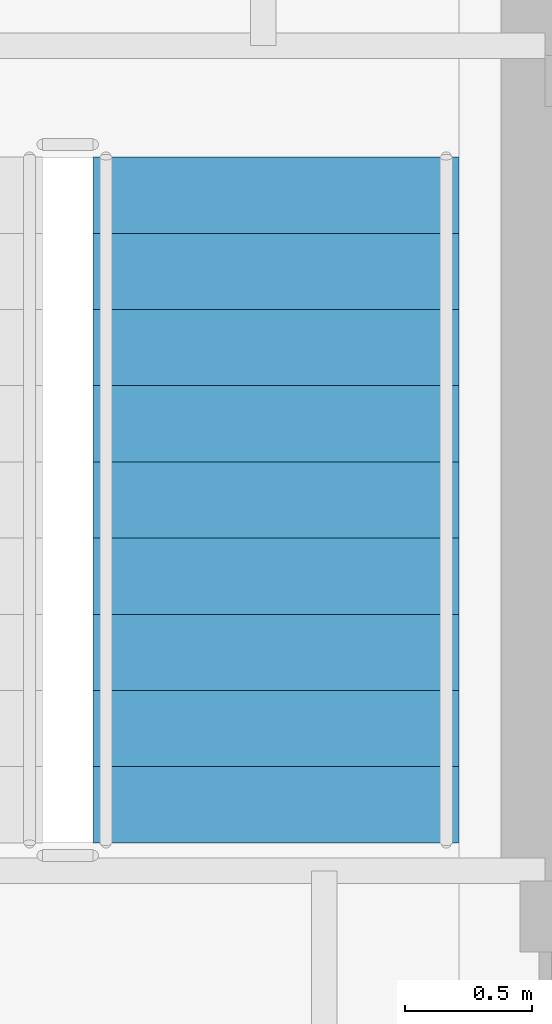
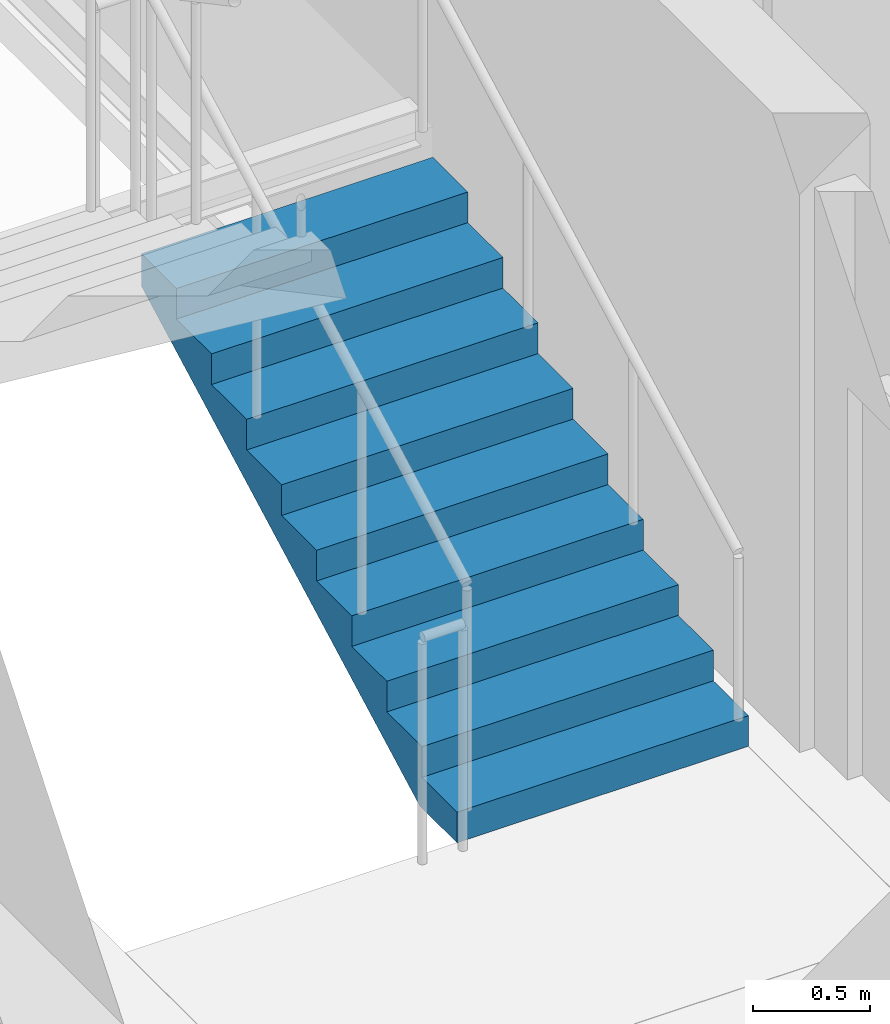
# One storey, part 5 of 6: 1 stair flight, 1 element without a shape of its own.
"""IFC4 building model written with IfcOpenShell, lengths in metres."""

from ifc_helpers import new_model, si_unit, direction, frame, origin, place, context, subcontext, project, spatial, polyline, outline, extrude, material, type_object, element, aggregate, save


model = new_model("IFC4")

# Units and contexts
model_context = context("Model", 3, precision=1e-05, world=origin(), true_north=direction((0.0, 1.0)))
body_context = subcontext(model_context, "Body", "Model", "MODEL_VIEW")
ifc_project = project(units=[si_unit("LENGTHUNIT", "METRE"), si_unit("AREAUNIT", "SQUARE_METRE"), si_unit("VOLUMEUNIT", "CUBIC_METRE"), si_unit("PLANEANGLEUNIT", "RADIAN"), si_unit("MASSUNIT", "GRAM", prefix="KILO")], contexts=[model_context])

# Site, building, storey
site_placement = place(None, origin())
site = spatial("IfcSite", under=ifc_project, at=site_placement, CompositionType="ELEMENT")
building_placement = place(site_placement, origin())
building = spatial("IfcBuilding", under=site, at=building_placement, Name="Qiaolan Cultural Towers", CompositionType="ELEMENT")
storey_placement = place(building_placement, frame((0.0, 0.0, 263.199951171875)))
storey = spatial("IfcBuildingStorey", under=building, at=storey_placement, Name="L72", CompositionType="ELEMENT", Elevation=263.199951171875)

# Stair, stair flight
ifc_material_1 = material(Name="Concrete C45", Category="concrete")
stair_type = type_object("IfcStairType", Name="STR-CORE-1500", PredefinedType="HALF_TURN_STAIR", material=ifc_material_1)
stair_placement = place(storey_placement, origin())
stair = element("IfcStair", 1, at=stair_placement, inside=storey, type_object=stair_type, Name="L72 Smokeproof Exit Stair ST-W2", PredefinedType="HALF_TURN_STAIR")
ifc_material_2 = material(Name="Concrete C45", Category="concrete")
stair_flight_type = type_object("IfcStairFlightType", Name="STR-CORE-1500-FL", PredefinedType="STRAIGHT", material=ifc_material_2)
stair_flight_placement = place(storey_placement, frame((24.659912109375, 48.449951171875, 0.0), z_axis=(0.0, 0.0, 1.0), x_axis=(0.0, 1.0, 0.0)))
stair_flight = element("IfcStairFlight", 2, at=stair_flight_placement, type_object=stair_flight_type, Name="ST-W2 flight 1", NumberOfRisers=10, NumberOfTreads=9, PredefinedType="STRAIGHT", RiserHeight=0.16, TreadLength=0.3, context=body_context, shape_type="SweptSolid", body=[
    extrude(outline(polyline([(0.0, 0.0), (0.0, 0.159912109375), (0.300048828125, 0.159912109375), (0.300048828125, 0.320068359375), (0.60009765625, 0.320068359375), (0.60009765625, 0.47998046875), (0.89990234375, 0.47998046875), (0.89990234375, 0.639892578125), (1.199951171875, 0.639892578125), (1.199951171875, 0.800048828125), (1.5, 0.800048828125), (1.5, 0.9599609375), (1.800048828125, 0.9599609375), (1.800048828125, 1.1201171875), (2.10009765625, 1.1201171875), (2.10009765625, 1.280029296875), (2.39990234375, 1.280029296875), (2.39990234375, 1.43994140625), (2.699951171875, 1.43994140625), (2.699951171875, 1.60009765625), (2.699951171875, 1.27001953125), (0.318603515625, 0.0), (0.0, 0.0)])), frame((0.0, 0.719970703125, 0.0), z_axis=(0.0, -1.0, 0.0), x_axis=(1.0, 0.0, 0.0)), (0.0, 0.0, 1.0), 1.43994140625),
])
aggregate(stair, [stair_flight])

save(model, "model.ifc")
